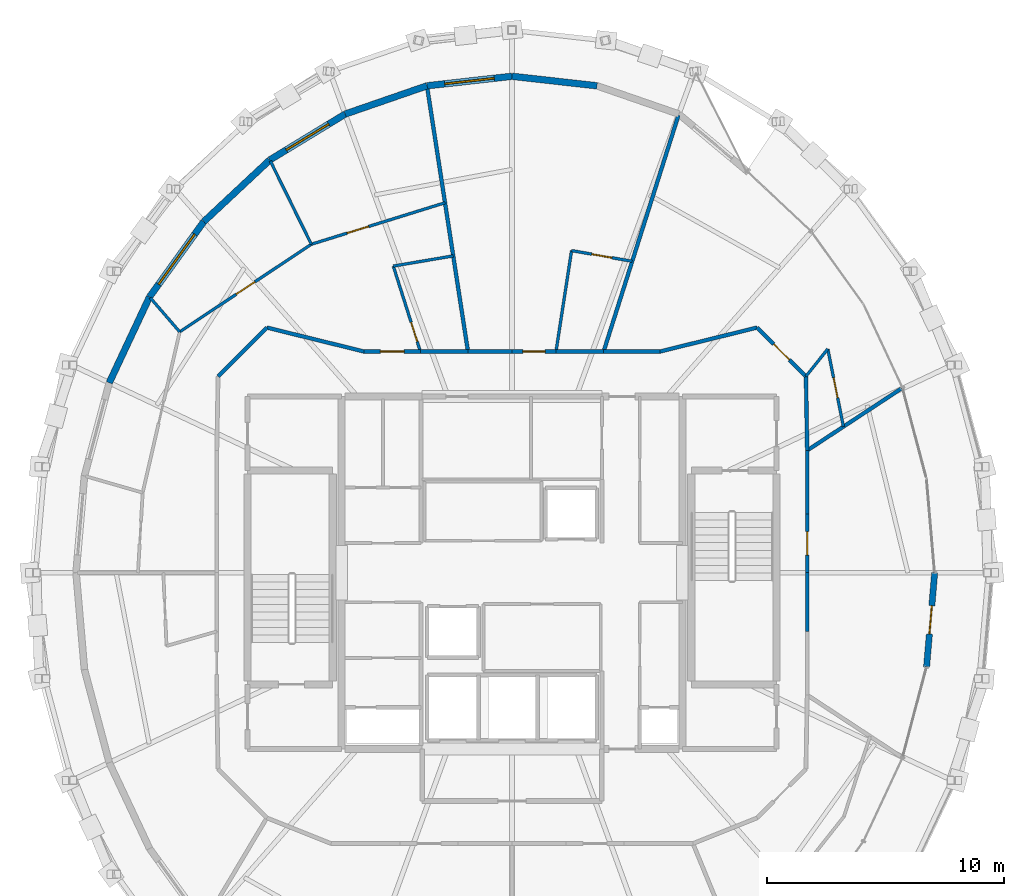
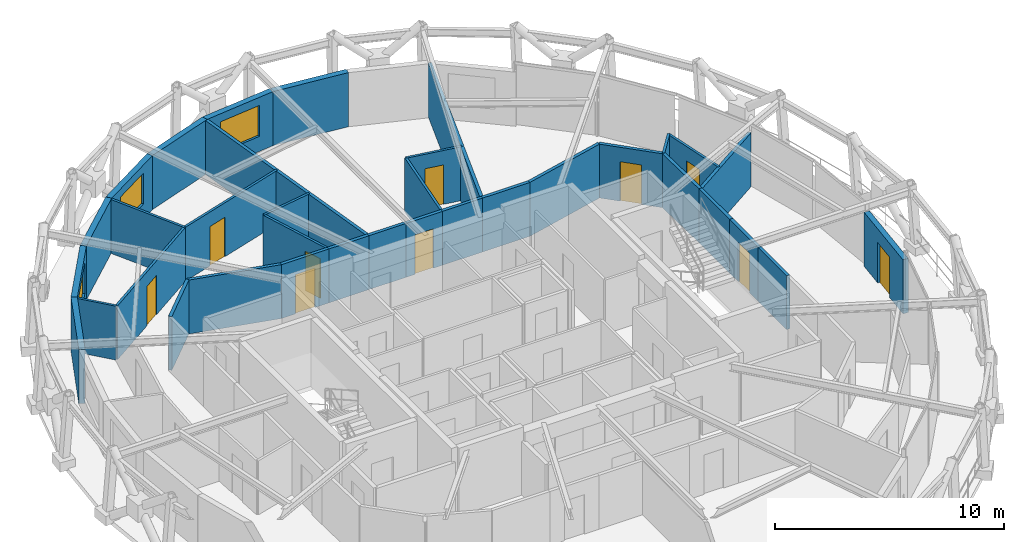
# One storey, part 14 of 16: 35 walls, 10 doors, 3 windows, 13 openings.
"""IFC4 building model written with IfcOpenShell, lengths in metres."""

from ifc_helpers import new_model, si_unit, direction, frame, frame_2d, origin, place, context, subcontext, project, spatial, rectangle, extrude, material, layer, layer_set, type_object, element, fill, save


model = new_model("IFC4")

# Units and contexts
model_context = context("Model", 3, precision=1e-05, world=origin(), true_north=direction((0.0, 1.0)))
body_context = subcontext(model_context, "Body", "Model", "MODEL_VIEW")
ifc_project = project(units=[si_unit("LENGTHUNIT", "METRE"), si_unit("AREAUNIT", "SQUARE_METRE"), si_unit("VOLUMEUNIT", "CUBIC_METRE"), si_unit("PLANEANGLEUNIT", "RADIAN"), si_unit("MASSUNIT", "GRAM", prefix="KILO")], contexts=[model_context])

# Site, building, storey
site_placement = place(None, origin())
site = spatial("IfcSite", under=ifc_project, at=site_placement, CompositionType="ELEMENT")
building_placement = place(site_placement, origin())
building = spatial("IfcBuilding", under=site, at=building_placement, Name="Veldorina Hangang Commons", CompositionType="ELEMENT")
storey_placement = place(building_placement, frame((0.0, 0.0, 283.199951171875)))
storey = spatial("IfcBuildingStorey", under=building, at=storey_placement, Name="L74", CompositionType="ELEMENT", Elevation=283.199951171875)

# Wall, opening, door
ifc_material_1 = material(Name="Stone Roman Travertine", Category="masonry")
ifc_layer_1 = layer(ifc_material_1, 0.260009765625)
ifc_layer_set_1 = layer_set([ifc_layer_1], Name="Stone Roman Travertine")
wall_type_1 = type_object("IfcWallType", Name="EW-LOGGIA-260", PredefinedType="STANDARD", material=ifc_layer_set_1)
wall_1_placement = place(storey_placement, frame((49.5263671875, 20.0146484375, 0.0), z_axis=(0.0, 0.0, 1.0), x_axis=(0.085813135063, 0.996311249485, 0.0)))
wall_1 = element("IfcWall", 1, at=wall_1_placement, inside=storey, type_object=wall_type_1, Name="L74 sky-garden loggia portal wall 31", PredefinedType="STANDARD", context=body_context, shape_type="SweptSolid", body=[
    extrude(rectangle(XDim=4.0, YDim=0.260009765625, at=frame_2d((2.0, 0.0))), origin(), (0.0, 0.0, 1.0), 2.880126953125),
])
opening_1_placement = place(wall_1_placement, frame((1.400146484375, 0.0, 0.0)))
opening_1 = element("IfcOpeningElement", 2, at=opening_1_placement, cuts=wall_1, Name="Opening BD-1200", PredefinedType="OPENING", context=body_context, shape_type="SweptSolid", body=[
    extrude(rectangle(XDim=1.199951171875, YDim=2.14990234375, at=frame_2d((0.60009765625, 1.074951171875))), frame((0.0, 0.14013671875, 0.0), z_axis=(0.0, -1.0, 0.0), x_axis=(1.0, 0.0, 0.0)), (0.0, 0.0, 1.0), 0.280029296875),
])
ifc_material_2 = material(Name="Glass Thermal Aluminium Frame", Category="aluminium")
door_type_1 = type_object("IfcDoorType", Name="DR-EXT-LOG1200", OperationType="SINGLE_SWING_LEFT", PredefinedType="DOOR", material=ifc_material_2)
door_1_placement = place(opening_1_placement, origin())
door_1 = element("IfcDoor", 3, at=door_1_placement, inside=storey, type_object=door_type_1, Name="L74 loggia glazed exterior door 31", OperationType="SINGLE_SWING_RIGHT", OverallHeight=2.14990234375, OverallWidth=1.199951171875, PredefinedType="DOOR", context=body_context, shape_type="SweptSolid", body=[
    extrude(rectangle(XDim=1.199951171875, YDim=2.14990234375, at=frame_2d((0.60009765625, 1.074951171875))), frame((0.0, 0.02490234375, 0.0), z_axis=(0.0, -1.0, 0.0), x_axis=(1.0, 0.0, 0.0)), (0.0, 0.0, 1.0), 0.050048828125),
])
fill(opening_1, door_1)

# Wall
ifc_layer_2 = layer(ifc_material_1, 0.280029296875)
ifc_layer_set_2 = layer_set([ifc_layer_2], Name="Stone Roman Travertine")
wall_type_2 = type_object("IfcWallType", Name="EW-TRAV-280", PredefinedType="STANDARD", material=ifc_layer_set_2)
wall_2_placement = place(storey_placement, frame((35.595458984375, 44.585205078125, 0.0), z_axis=(0.0, 0.0, 1.0), x_axis=(-0.993767154633, 0.111475747909, 0.0)))
element("IfcWall", 4, at=wall_2_placement, inside=storey, type_object=wall_type_2, Name="L74 travertine facade wall 07", PredefinedType="STANDARD", context=body_context, shape_type="SweptSolid", body=[
    extrude(rectangle(XDim=3.617919921875, YDim=0.280029296875, at=frame_2d((1.80908203125, 0.0))), origin(), (0.0, 0.0, 1.0), 2.880126953125),
])

# Wall, opening, window
wall_3_placement = place(storey_placement, frame((32.0, 44.988525390625, 0.0), z_axis=(0.0, 0.0, 1.0), x_axis=(-0.993767154633, -0.111475747909, 0.0)))
wall_3 = element("IfcWall", 5, at=wall_3_placement, inside=storey, type_object=wall_type_2, Name="L74 travertine facade wall 08", PredefinedType="STANDARD", context=body_context, shape_type="SweptSolid", body=[
    extrude(rectangle(XDim=3.617919921875, YDim=0.280029296875, at=frame_2d((1.80908203125, 0.0))), origin(), (0.0, 0.0, 1.0), 2.880126953125),
])
opening_2_placement = place(wall_3_placement, frame((0.759033203125, 0.0, 0.800048828125)))
opening_2 = element("IfcOpeningElement", 6, at=opening_2_placement, cuts=wall_3, Name="Opening W-03", PredefinedType="OPENING", context=body_context, shape_type="SweptSolid", body=[
    extrude(rectangle(XDim=2.10009765625, YDim=1.64990234375, at=frame_2d((1.050048828125, 0.824951171875))), frame((0.0, 0.14990234375, 0.0), z_axis=(0.0, -1.0, 0.0), x_axis=(1.0, 0.0, 0.0)), (0.0, 0.0, 1.0), 0.300048828125),
])
ifc_material_3 = material(Name="Glass Low-E Triple IGU", Category="glass")
window_type_1 = type_object("IfcWindowType", Name="WIN-TWR-2100", PartitioningType="SINGLE_PANEL", PredefinedType="WINDOW", material=ifc_material_3)
window_1_placement = place(opening_2_placement, origin())
window_1 = element("IfcWindow", 7, at=window_1_placement, inside=storey, type_object=window_type_1, Name="L74 facade window 08", OverallHeight=1.64990234375, OverallWidth=2.10009765625, PartitioningType="SINGLE_PANEL", PredefinedType="WINDOW", context=body_context, shape_type="SweptSolid", body=[
    extrude(rectangle(XDim=2.10009765625, YDim=1.64990234375, at=frame_2d((1.050048828125, 0.824951171875))), frame((0.0, 0.030029296875, 0.0), z_axis=(0.0, -1.0, 0.0), x_axis=(1.0, 0.0, 0.0)), (0.0, 0.0, 1.0), 0.06005859375),
])
fill(opening_2, window_1)

# Wall
wall_4_placement = place(storey_placement, frame((28.404541015625, 44.585205078125, 0.0), z_axis=(0.0, 0.0, 1.0), x_axis=(-0.945189830933, -0.326521336976, 0.0)))
element("IfcWall", 8, at=wall_4_placement, inside=storey, type_object=wall_type_2, Name="L74 travertine facade wall 09", PredefinedType="STANDARD", context=body_context, shape_type="SweptSolid", body=[
    extrude(rectangle(XDim=3.65771484375, YDim=0.280029296875, at=frame_2d((1.828857421875, 0.0))), origin(), (0.0, 0.0, 1.0), 2.880126953125),
])

# Wall, opening, window
wall_5_placement = place(storey_placement, frame((24.947265625, 43.390869140625, 0.0), z_axis=(0.0, 0.0, 1.0), x_axis=(-0.854201083367, -0.519942794136, 0.0)))
wall_5 = element("IfcWall", 9, at=wall_5_placement, inside=storey, type_object=wall_type_2, Name="L74 travertine facade wall 10", PredefinedType="STANDARD", context=body_context, shape_type="SweptSolid", body=[
    extrude(rectangle(XDim=3.730224609375, YDim=0.280029296875, at=frame_2d((1.865234375, 0.0))), origin(), (0.0, 0.0, 1.0), 2.880126953125),
])
opening_3_placement = place(wall_5_placement, frame((0.815185546875, 0.0, 0.800048828125)))
opening_3 = element("IfcOpeningElement", 10, at=opening_3_placement, cuts=wall_5, Name="Opening W-03", PredefinedType="OPENING", context=body_context, shape_type="SweptSolid", body=[
    extrude(rectangle(XDim=2.10009765625, YDim=1.64990234375, at=frame_2d((1.050048828125, 0.824951171875))), frame((0.0, 0.14990234375, 0.0), z_axis=(0.0, -1.0, 0.0), x_axis=(1.0, 0.0, 0.0)), (0.0, 0.0, 1.0), 0.300048828125),
])
window_2_placement = place(opening_3_placement, origin())
window_2 = element("IfcWindow", 11, at=window_2_placement, inside=storey, type_object=window_type_1, Name="L74 facade window 10", OverallHeight=1.64990234375, OverallWidth=2.10009765625, PartitioningType="SINGLE_PANEL", PredefinedType="WINDOW", context=body_context, shape_type="SweptSolid", body=[
    extrude(rectangle(XDim=2.10009765625, YDim=1.64990234375, at=frame_2d((1.050048828125, 0.824951171875))), frame((0.0, 0.030029296875, 0.0), z_axis=(0.0, -1.0, 0.0), x_axis=(1.0, 0.0, 0.0)), (0.0, 0.0, 1.0), 0.06005859375),
])
fill(opening_3, window_2)

# Wall
wall_6_placement = place(storey_placement, frame((21.760986328125, 41.451416015625, 0.0), z_axis=(0.0, 0.0, 1.0), x_axis=(-0.730558106244, -0.682850535184, 0.0)))
element("IfcWall", 12, at=wall_6_placement, inside=storey, type_object=wall_type_2, Name="L74 travertine facade wall 11", PredefinedType="STANDARD", context=body_context, shape_type="SweptSolid", body=[
    extrude(rectangle(XDim=3.82275390625, YDim=0.280029296875, at=frame_2d((1.911376953125, 0.0))), origin(), (0.0, 0.0, 1.0), 2.880126953125),
])

# Wall, opening, window
wall_7_placement = place(storey_placement, frame((18.96826171875, 38.841064453125, 0.0), z_axis=(0.0, 0.0, 1.0), x_axis=(-0.584655758142, -0.811281482884, 0.0)))
wall_7 = element("IfcWall", 13, at=wall_7_placement, inside=storey, type_object=wall_type_2, Name="L74 travertine facade wall 12", PredefinedType="STANDARD", context=body_context, shape_type="SweptSolid", body=[
    extrude(rectangle(XDim=3.920166015625, YDim=0.280029296875, at=frame_2d((1.9599609375, 0.0))), origin(), (0.0, 0.0, 1.0), 2.880126953125),
])
opening_4_placement = place(wall_7_placement, frame((0.66015625, 0.0, 0.800048828125)))
opening_4 = element("IfcOpeningElement", 14, at=opening_4_placement, cuts=wall_7, Name="Opening W-02", PredefinedType="OPENING", context=body_context, shape_type="SweptSolid", body=[
    extrude(rectangle(XDim=2.60009765625, YDim=1.64990234375, at=frame_2d((1.300048828125, 0.824951171875))), frame((0.0, 0.14990234375, 0.0), z_axis=(0.0, -1.0, 0.0), x_axis=(1.0, 0.0, 0.0)), (0.0, 0.0, 1.0), 0.300048828125),
])
window_type_2 = type_object("IfcWindowType", Name="WIN-TWR-2600", PartitioningType="SINGLE_PANEL", PredefinedType="WINDOW", material=ifc_material_3)
window_3_placement = place(opening_4_placement, origin())
window_3 = element("IfcWindow", 15, at=window_3_placement, inside=storey, type_object=window_type_2, Name="L74 facade window 12", OverallHeight=1.64990234375, OverallWidth=2.60009765625, PartitioningType="SINGLE_PANEL", PredefinedType="WINDOW", context=body_context, shape_type="SweptSolid", body=[
    extrude(rectangle(XDim=2.60009765625, YDim=1.64990234375, at=frame_2d((1.300048828125, 0.824951171875))), frame((0.0, 0.030029296875, 0.0), z_axis=(0.0, -1.0, 0.0), x_axis=(1.0, 0.0, 0.0)), (0.0, 0.0, 1.0), 0.06005859375),
])
fill(opening_4, window_3)

# Wall
wall_8_placement = place(storey_placement, frame((16.67626953125, 35.66064453125, 0.0), z_axis=(0.0, 0.0, 1.0), x_axis=(-0.424881672648, -0.905248896297, 0.0)))
element("IfcWall", 16, at=wall_8_placement, inside=storey, type_object=wall_type_2, Name="L74 travertine facade wall 13", PredefinedType="STANDARD", context=body_context, shape_type="SweptSolid", body=[
    extrude(rectangle(XDim=4.008544921875, YDim=0.280029296875, at=frame_2d((2.00439453125, 0.0))), origin(), (0.0, 0.0, 1.0), 2.880126953125),
])

# Wall, opening, door
ifc_material_4 = material(Name="Gypsum Fire-Rated Twin Stud Wall", Category="gypsum")
ifc_layer_3 = layer(ifc_material_4, 0.159912109375)
ifc_layer_set_3 = layer_set([ifc_layer_3], Name="Gypsum Fire-Rated Twin Stud Wall")
wall_type_3 = type_object("IfcWallType", Name="WL-FIRE-160", PredefinedType="SOLIDWALL", material=ifc_layer_set_3)
wall_9_placement = place(storey_placement, frame((44.47998046875, 24.0, 0.0), z_axis=(0.0, 0.0, 1.0), x_axis=(0.0, 1.0, 0.0)))
wall_9 = element("IfcWall", 17, at=wall_9_placement, inside=storey, type_object=wall_type_3, Name="L74 Compact collar outer wall 00 054", PredefinedType="SOLIDWALL", context=body_context, shape_type="SweptSolid", body=[
    extrude(rectangle(XDim=2.482421875, YDim=0.159912109375, at=frame_2d((1.2412109375, 0.0))), origin(), (0.0, 0.0, 1.0), 2.8701171875),
])
opening_5_placement = place(wall_9_placement, frame((0.7412109375, 0.0, 0.0)))
opening_5 = element("IfcOpeningElement", 18, at=opening_5_placement, cuts=wall_9, Name="Opening D-05", PredefinedType="OPENING", context=body_context, shape_type="SweptSolid", body=[
    extrude(rectangle(XDim=1.0, YDim=2.10009765625, at=frame_2d((0.5, 1.050048828125))), frame((0.0, 0.08984375, 0.0), z_axis=(0.0, -1.0, 0.0), x_axis=(1.0, 0.0, 0.0)), (0.0, 0.0, 1.0), 0.179931640625),
])
ifc_material_5 = material(Name="Timber Solid Core Acoustic", Category="wood")
door_type_2 = type_object("IfcDoorType", Name="DR-INT-1000", OperationType="SINGLE_SWING_RIGHT", PredefinedType="DOOR", material=ifc_material_5)
door_2_placement = place(opening_5_placement, origin())
door_2 = element("IfcDoor", 19, at=door_2_placement, inside=storey, type_object=door_type_2, Name="L74 Sky-Garden Commons Lounge door 024", OperationType="SINGLE_SWING_RIGHT", OverallHeight=2.10009765625, OverallWidth=1.0, PredefinedType="DOOR", context=body_context, shape_type="SweptSolid", body=[
    extrude(rectangle(XDim=1.0, YDim=2.10009765625, at=frame_2d((0.5, 1.050048828125))), frame((0.0, 0.02490234375, 0.0), z_axis=(0.0, -1.0, 0.0), x_axis=(1.0, 0.0, 0.0)), (0.0, 0.0, 1.0), 0.050048828125),
])
fill(opening_5, door_2)

# Walls
wall_10_placement = place(storey_placement, frame((44.47998046875, 26.482421875, 0.0), z_axis=(0.0, 0.0, 1.0), x_axis=(0.0, 1.0, 0.0)))
element("IfcWall", 20, at=wall_10_placement, inside=storey, type_object=wall_type_3, Name="L74 Compact collar outer wall 01 055", PredefinedType="SOLIDWALL", context=body_context, shape_type="SweptSolid", body=[
    extrude(rectangle(XDim=2.68701171875, YDim=0.159912109375, at=frame_2d((1.343505859375, 0.0))), origin(), (0.0, 0.0, 1.0), 2.8701171875),
])
wall_11_placement = place(storey_placement, frame((44.47998046875, 29.16943359375, 0.0), z_axis=(0.0, 0.0, 1.0), x_axis=(-0.016981035134, 0.999855811828, 0.0)))
element("IfcWall", 21, at=wall_11_placement, inside=storey, type_object=wall_type_3, Name="L74 Compact collar outer wall 02 056", PredefinedType="SOLIDWALL", context=body_context, shape_type="SweptSolid", body=[
    extrude(rectangle(XDim=3.13427734375, YDim=0.159912109375, at=frame_2d((1.567138671875, 0.0))), origin(), (0.0, 0.0, 1.0), 2.8701171875),
])

# Wall, opening, door
wall_12_placement = place(storey_placement, frame((44.4267578125, 32.30322265625, 0.0), z_axis=(0.0, 0.0, 1.0), x_axis=(-0.707106781187, 0.707106781187, 0.0)))
wall_12 = element("IfcWall", 22, at=wall_12_placement, inside=storey, type_object=wall_type_3, Name="L74 Compact collar outer wall 03 057", PredefinedType="SOLIDWALL", context=body_context, shape_type="SweptSolid", body=[
    extrude(rectangle(XDim=2.915771484375, YDim=0.159912109375, at=frame_2d((1.4580078125, 0.0))), origin(), (0.0, 0.0, 1.0), 2.8701171875),
])
opening_6_placement = place(wall_12_placement, frame((0.98291015625, 0.0, 0.0)))
opening_6 = element("IfcOpeningElement", 23, at=opening_6_placement, cuts=wall_12, Name="Opening D-03", PredefinedType="OPENING", context=body_context, shape_type="SweptSolid", body=[
    extrude(rectangle(XDim=0.949951171875, YDim=2.10009765625, at=frame_2d((0.47509765625, 1.050048828125))), frame((0.0, 0.08984375, 0.0), z_axis=(0.0, -1.0, 0.0), x_axis=(1.0, 0.0, 0.0)), (0.0, 0.0, 1.0), 0.179931640625),
])
ifc_material_6 = material(Name="Timber Fire-Rated Entrance Core", Category="wood")
door_type_3 = type_object("IfcDoorType", Name="DR-UNIT-950", OperationType="SINGLE_SWING_RIGHT", PredefinedType="DOOR", material=ifc_material_6)
door_3_placement = place(opening_6_placement, origin())
door_3 = element("IfcDoor", 24, at=door_3_placement, inside=storey, type_object=door_type_3, Name="L74 Studio 2 entrance door 026", OperationType="SINGLE_SWING_RIGHT", OverallHeight=2.10009765625, OverallWidth=0.949951171875, PredefinedType="DOOR", context=body_context, shape_type="SweptSolid", body=[
    extrude(rectangle(XDim=0.949951171875, YDim=2.10009765625, at=frame_2d((0.47509765625, 1.050048828125))), frame((0.0, 0.02490234375, 0.0), z_axis=(0.0, -1.0, 0.0), x_axis=(1.0, 0.0, 0.0)), (0.0, 0.0, 1.0), 0.050048828125),
])
fill(opening_6, door_3)

# Walls
wall_13_placement = place(storey_placement, frame((42.364990234375, 34.364990234375, 0.0), z_axis=(0.0, 0.0, 1.0), x_axis=(-0.970939799552, -0.239323850978, 0.0)))
element("IfcWall", 25, at=wall_13_placement, inside=storey, type_object=wall_type_3, Name="L74 Compact collar outer wall 04 058", PredefinedType="SOLIDWALL", context=body_context, shape_type="SweptSolid", body=[
    extrude(rectangle(XDim=4.24072265625, YDim=0.159912109375, at=frame_2d((2.120361328125, 0.0))), origin(), (0.0, 0.0, 1.0), 2.8701171875),
])
wall_14_placement = place(storey_placement, frame((38.24755859375, 33.35009765625, 0.0), z_axis=(0.0, 0.0, 1.0), x_axis=(-1.0, 0.0, 0.0)))
element("IfcWall", 26, at=wall_14_placement, inside=storey, type_object=wall_type_3, Name="L74 Compact collar outer wall 05 059", PredefinedType="SOLIDWALL", context=body_context, shape_type="SweptSolid", body=[
    extrude(rectangle(XDim=2.374755859375, YDim=0.159912109375, at=frame_2d((1.1875, 0.0))), origin(), (0.0, 0.0, 1.0), 2.8701171875),
])
wall_15_placement = place(storey_placement, frame((35.872802734375, 33.35009765625, 0.0), z_axis=(0.0, 0.0, 1.0), x_axis=(-1.0, 0.0, 0.0)))
element("IfcWall", 27, at=wall_15_placement, inside=storey, type_object=wall_type_3, Name="L74 Compact collar outer wall 06 060", PredefinedType="SOLIDWALL", context=body_context, shape_type="SweptSolid", body=[
    extrude(rectangle(XDim=2.012939453125, YDim=0.159912109375, at=frame_2d((1.00634765625, 0.0))), origin(), (0.0, 0.0, 1.0), 2.8701171875),
])

# Wall, opening, door
wall_16_placement = place(storey_placement, frame((33.85986328125, 33.35009765625, 0.0), z_axis=(0.0, 0.0, 1.0), x_axis=(-1.0, 0.0, 0.0)))
wall_16 = element("IfcWall", 28, at=wall_16_placement, inside=storey, type_object=wall_type_3, Name="L74 Compact collar outer wall 07 061", PredefinedType="SOLIDWALL", context=body_context, shape_type="SweptSolid", body=[
    extrude(rectangle(XDim=1.85986328125, YDim=0.159912109375, at=frame_2d((0.929931640625, 0.0))), origin(), (0.0, 0.0, 1.0), 2.8701171875),
])
opening_7_placement = place(wall_16_placement, frame((0.454833984375, 0.0, 0.0)))
opening_7 = element("IfcOpeningElement", 29, at=opening_7_placement, cuts=wall_16, Name="Opening D-03", PredefinedType="OPENING", context=body_context, shape_type="SweptSolid", body=[
    extrude(rectangle(XDim=0.949951171875, YDim=2.10009765625, at=frame_2d((0.47509765625, 1.050048828125))), frame((0.0, 0.08984375, 0.0), z_axis=(0.0, -1.0, 0.0), x_axis=(1.0, 0.0, 0.0)), (0.0, 0.0, 1.0), 0.179931640625),
])
door_4_placement = place(opening_7_placement, origin())
door_4 = element("IfcDoor", 30, at=door_4_placement, inside=storey, type_object=door_type_3, Name="L74 Studio 3 entrance door 028", OperationType="SINGLE_SWING_RIGHT", OverallHeight=2.10009765625, OverallWidth=0.949951171875, PredefinedType="DOOR", context=body_context, shape_type="SweptSolid", body=[
    extrude(rectangle(XDim=0.949951171875, YDim=2.10009765625, at=frame_2d((0.47509765625, 1.050048828125))), frame((0.0, 0.02490234375, 0.0), z_axis=(0.0, -1.0, 0.0), x_axis=(1.0, 0.0, 0.0)), (0.0, 0.0, 1.0), 0.050048828125),
])
fill(opening_7, door_4)

# Walls
wall_17_placement = place(storey_placement, frame((32.0, 33.35009765625, 0.0), z_axis=(0.0, 0.0, 1.0), x_axis=(-1.0, 0.0, 0.0)))
element("IfcWall", 31, at=wall_17_placement, inside=storey, type_object=wall_type_3, Name="L74 Compact collar outer wall 08 062", PredefinedType="SOLIDWALL", context=body_context, shape_type="SweptSolid", body=[
    extrude(rectangle(XDim=1.85986328125, YDim=0.159912109375, at=frame_2d((0.929931640625, 0.0))), origin(), (0.0, 0.0, 1.0), 2.8701171875),
])
wall_18_placement = place(storey_placement, frame((30.14013671875, 33.35009765625, 0.0), z_axis=(0.0, 0.0, 1.0), x_axis=(-1.0, 0.0, 0.0)))
element("IfcWall", 32, at=wall_18_placement, inside=storey, type_object=wall_type_3, Name="L74 Compact collar outer wall 09 063", PredefinedType="SOLIDWALL", context=body_context, shape_type="SweptSolid", body=[
    extrude(rectangle(XDim=2.012939453125, YDim=0.159912109375, at=frame_2d((1.00634765625, 0.0))), origin(), (0.0, 0.0, 1.0), 2.8701171875),
])

# Wall, opening, door
wall_19_placement = place(storey_placement, frame((28.127197265625, 33.35009765625, 0.0), z_axis=(0.0, 0.0, 1.0), x_axis=(-1.0, 0.0, 0.0)))
wall_19 = element("IfcWall", 33, at=wall_19_placement, inside=storey, type_object=wall_type_3, Name="L74 Compact collar outer wall 10 064", PredefinedType="SOLIDWALL", context=body_context, shape_type="SweptSolid", body=[
    extrude(rectangle(XDim=2.374755859375, YDim=0.159912109375, at=frame_2d((1.1875, 0.0))), origin(), (0.0, 0.0, 1.0), 2.8701171875),
])
opening_8_placement = place(wall_19_placement, frame((0.687255859375, 0.0, 0.0)))
opening_8 = element("IfcOpeningElement", 34, at=opening_8_placement, cuts=wall_19, Name="Opening D-06", PredefinedType="OPENING", context=body_context, shape_type="SweptSolid", body=[
    extrude(rectangle(XDim=1.0, YDim=2.10009765625, at=frame_2d((0.5, 1.050048828125))), frame((0.0, 0.08984375, 0.0), z_axis=(0.0, -1.0, 0.0), x_axis=(1.0, 0.0, 0.0)), (0.0, 0.0, 1.0), 0.179931640625),
])
door_type_4 = type_object("IfcDoorType", Name="DR-UNIT-1000", OperationType="SINGLE_SWING_LEFT", PredefinedType="DOOR", material=ifc_material_6)
door_5_placement = place(opening_8_placement, origin())
door_5 = element("IfcDoor", 35, at=door_5_placement, inside=storey, type_object=door_type_4, Name="L74 Cluster 4 entrance door 030", OperationType="SINGLE_SWING_RIGHT", OverallHeight=2.10009765625, OverallWidth=1.0, PredefinedType="DOOR", context=body_context, shape_type="SweptSolid", body=[
    extrude(rectangle(XDim=1.0, YDim=2.10009765625, at=frame_2d((0.5, 1.050048828125))), frame((0.0, 0.02490234375, 0.0), z_axis=(0.0, -1.0, 0.0), x_axis=(1.0, 0.0, 0.0)), (0.0, 0.0, 1.0), 0.050048828125),
])
fill(opening_8, door_5)

# Walls
wall_20_placement = place(storey_placement, frame((25.75244140625, 33.35009765625, 0.0), z_axis=(0.0, 0.0, 1.0), x_axis=(-0.970939799552, 0.239323850978, 0.0)))
element("IfcWall", 36, at=wall_20_placement, inside=storey, type_object=wall_type_3, Name="L74 Compact collar outer wall 11 065", PredefinedType="SOLIDWALL", context=body_context, shape_type="SweptSolid", body=[
    extrude(rectangle(XDim=4.24072265625, YDim=0.159912109375, at=frame_2d((2.120361328125, 0.0))), origin(), (0.0, 0.0, 1.0), 2.8701171875),
])
wall_21_placement = place(storey_placement, frame((21.635009765625, 34.364990234375, 0.0), z_axis=(0.0, 0.0, 1.0), x_axis=(-0.707106781187, -0.707106781187, 0.0)))
element("IfcWall", 37, at=wall_21_placement, inside=storey, type_object=wall_type_3, Name="L74 Compact collar outer wall 12 066", PredefinedType="SOLIDWALL", context=body_context, shape_type="SweptSolid", body=[
    extrude(rectangle(XDim=2.915771484375, YDim=0.159912109375, at=frame_2d((1.4580078125, 0.0))), origin(), (0.0, 0.0, 1.0), 2.8701171875),
])
wall_22_placement = place(storey_placement, frame((44.47998046875, 21.517578125, 0.0), z_axis=(0.0, 0.0, 1.0), x_axis=(0.0, 1.0, 0.0)))
element("IfcWall", 38, at=wall_22_placement, inside=storey, type_object=wall_type_3, Name="L74 Compact collar outer wall 31 085", PredefinedType="SOLIDWALL", context=body_context, shape_type="SweptSolid", body=[
    extrude(rectangle(XDim=2.482421875, YDim=0.159912109375, at=frame_2d((1.2412109375, 0.0))), origin(), (0.0, 0.0, 1.0), 2.8701171875),
])
wall_23_placement = place(storey_placement, frame((44.47998046875, 29.16943359375, 0.0), z_axis=(0.0, 0.0, 1.0), x_axis=(0.835700112482, 0.549186054082, 0.0)))
element("IfcWall", 39, at=wall_23_placement, inside=storey, type_object=wall_type_3, Name="L74 Unit party wall 02 087", PredefinedType="SOLIDWALL", context=body_context, shape_type="SweptSolid", body=[
    extrude(rectangle(XDim=4.771728515625, YDim=0.159912109375, at=frame_2d((2.3857421875, 0.0))), origin(), (0.0, 0.0, 1.0), 2.8701171875),
])
wall_24_placement = place(storey_placement, frame((35.872802734375, 33.35009765625, 0.0), z_axis=(0.0, 0.0, 1.0), x_axis=(0.301923810038, 0.953332058064, 0.0)))
element("IfcWall", 40, at=wall_24_placement, inside=storey, type_object=wall_type_3, Name="L74 Unit party wall 06 090", PredefinedType="SOLIDWALL", context=body_context, shape_type="SweptSolid", body=[
    extrude(rectangle(XDim=10.482177734375, YDim=0.159912109375, at=frame_2d((5.2412109375, 0.0))), origin(), (0.0, 0.0, 1.0), 2.8701171875),
])
wall_25_placement = place(storey_placement, frame((30.14013671875, 33.35009765625, 0.0), z_axis=(0.0, 0.0, 1.0), x_axis=(-0.152673086736, 0.988276746962, 0.0)))
element("IfcWall", 41, at=wall_25_placement, inside=storey, type_object=wall_type_3, Name="L74 Unit party wall 09 093", PredefinedType="SOLIDWALL", context=body_context, shape_type="SweptSolid", body=[
    extrude(rectangle(XDim=11.318359375, YDim=0.159912109375, at=frame_2d((5.6591796875, 0.0))), origin(), (0.0, 0.0, 1.0), 2.8701171875),
])

# Wall, opening, door
ifc_material_7 = material(Name="Gypsum Acoustic Stud Partition", Category="gypsum")
ifc_layer_4 = layer(ifc_material_7, 0.1201171875)
ifc_layer_set_4 = layer_set([ifc_layer_4], Name="Gypsum Acoustic Stud Partition")
wall_type_4 = type_object("IfcWallType", Name="WL-PART-120", PredefinedType="PARTITIONING", material=ifc_layer_set_4)
wall_26_placement = place(storey_placement, frame((46.01123046875, 30.17578125, 0.0), z_axis=(0.0, 0.0, 1.0), x_axis=(-0.197152846151, 0.980372763419, 0.0)))
wall_26 = element("IfcWall", 42, at=wall_26_placement, inside=storey, type_object=wall_type_4, Name="L74 Studio 2 bath front wall 088", PredefinedType="PARTITIONING", context=body_context, shape_type="SweptSolid", body=[
    extrude(rectangle(XDim=3.350830078125, YDim=0.1201171875, at=frame_2d((1.67529296875, 0.0))), origin(), (0.0, 0.0, 1.0), 2.8701171875),
])
opening_9_placement = place(wall_26_placement, frame((1.24560546875, 0.0, 0.0)))
opening_9 = element("IfcOpeningElement", 43, at=opening_9_placement, cuts=wall_26, Name="Opening D-01", PredefinedType="OPENING", context=body_context, shape_type="SweptSolid", body=[
    extrude(rectangle(XDim=0.860107421875, YDim=2.10009765625, at=frame_2d((0.43017578125, 1.050048828125))), frame((0.0, 0.070068359375, 0.0), z_axis=(0.0, -1.0, 0.0), x_axis=(1.0, 0.0, 0.0)), (0.0, 0.0, 1.0), 0.14013671875),
])
ifc_material_8 = material(Name="Timber Moisture-Resistant Core", Category="wood")
door_type_5 = type_object("IfcDoorType", Name="DR-WET-860", OperationType="SINGLE_SWING_LEFT", PredefinedType="DOOR", material=ifc_material_8)
door_6_placement = place(opening_9_placement, origin())
door_6 = element("IfcDoor", 44, at=door_6_placement, inside=storey, type_object=door_type_5, Name="L74 Studio 2 bathroom door 025", OperationType="SINGLE_SWING_LEFT", OverallHeight=2.10009765625, OverallWidth=0.860107421875, PredefinedType="DOOR", context=body_context, shape_type="SweptSolid", body=[
    extrude(rectangle(XDim=0.860107421875, YDim=2.10009765625, at=frame_2d((0.43017578125, 1.050048828125))), frame((0.0, 0.02490234375, 0.0), z_axis=(0.0, -1.0, 0.0), x_axis=(1.0, 0.0, 0.0)), (0.0, 0.0, 1.0), 0.050048828125),
])
fill(opening_9, door_6)

# Wall
wall_27_placement = place(storey_placement, frame((44.4267578125, 32.30322265625, 0.0), z_axis=(0.0, 0.0, 1.0), x_axis=(0.623729692051, 0.781640116201, 0.0)))
element("IfcWall", 45, at=wall_27_placement, inside=storey, type_object=wall_type_4, Name="L74 Studio 2 bath side wall 089", PredefinedType="PARTITIONING", context=body_context, shape_type="SweptSolid", body=[
    extrude(rectangle(XDim=1.481201171875, YDim=0.1201171875, at=frame_2d((0.74072265625, 0.0))), origin(), (0.0, 0.0, 1.0), 2.8701171875),
])

# Wall, opening, door
wall_28_placement = place(storey_placement, frame((37.081298828125, 37.16552734375, 0.0), z_axis=(0.0, 0.0, 1.0), x_axis=(-0.984669047574, 0.174432986415, 0.0)))
wall_28 = element("IfcWall", 46, at=wall_28_placement, inside=storey, type_object=wall_type_4, Name="L74 Studio 3 bath front wall 091", PredefinedType="PARTITIONING", context=body_context, shape_type="SweptSolid", body=[
    extrude(rectangle(XDim=2.601806640625, YDim=0.1201171875, at=frame_2d((1.30078125, 0.0))), origin(), (0.0, 0.0, 1.0), 2.8701171875),
])
opening_10_placement = place(wall_28_placement, frame((0.870849609375, 0.0, 0.0)))
opening_10 = element("IfcOpeningElement", 47, at=opening_10_placement, cuts=wall_28, Name="Opening D-01", PredefinedType="OPENING", context=body_context, shape_type="SweptSolid", body=[
    extrude(rectangle(XDim=0.860107421875, YDim=2.10009765625, at=frame_2d((0.43017578125, 1.050048828125))), frame((0.0, 0.070068359375, 0.0), z_axis=(0.0, -1.0, 0.0), x_axis=(1.0, 0.0, 0.0)), (0.0, 0.0, 1.0), 0.14013671875),
])
door_7_placement = place(opening_10_placement, origin())
door_7 = element("IfcDoor", 48, at=door_7_placement, inside=storey, type_object=door_type_5, Name="L74 Studio 3 bathroom door 027", OperationType="SINGLE_SWING_LEFT", OverallHeight=2.10009765625, OverallWidth=0.860107421875, PredefinedType="DOOR", context=body_context, shape_type="SweptSolid", body=[
    extrude(rectangle(XDim=0.860107421875, YDim=2.10009765625, at=frame_2d((0.43017578125, 1.050048828125))), frame((0.0, 0.02490234375, 0.0), z_axis=(0.0, -1.0, 0.0), x_axis=(1.0, 0.0, 0.0)), (0.0, 0.0, 1.0), 0.050048828125),
])
fill(opening_10, door_7)

# Walls
wall_29_placement = place(storey_placement, frame((33.85986328125, 33.35009765625, 0.0), z_axis=(0.0, 0.0, 1.0), x_axis=(0.152647462941, 0.988280705092, 0.0)))
element("IfcWall", 49, at=wall_29_placement, inside=storey, type_object=wall_type_4, Name="L74 Studio 3 bath side wall 092", PredefinedType="PARTITIONING", context=body_context, shape_type="SweptSolid", body=[
    extrude(rectangle(XDim=4.31982421875, YDim=0.1201171875, at=frame_2d((2.159912109375, 0.0))), origin(), (0.0, 0.0, 1.0), 2.8701171875),
])
wall_30_placement = place(storey_placement, frame((29.515380859375, 37.394775390625, 0.0), z_axis=(0.0, 0.0, 1.0), x_axis=(-0.985883309276, -0.167433869007, 0.0)))
element("IfcWall", 50, at=wall_30_placement, inside=storey, type_object=wall_type_4, Name="L74 Cluster 4 bath front wall 094", PredefinedType="PARTITIONING", context=body_context, shape_type="SweptSolid", body=[
    extrude(rectangle(XDim=2.5693359375, YDim=0.1201171875, at=frame_2d((1.28466796875, 0.0))), origin(), (0.0, 0.0, 1.0), 2.8701171875),
])

# Wall, opening, door
wall_31_placement = place(storey_placement, frame((28.127197265625, 33.35009765625, 0.0), z_axis=(0.0, 0.0, 1.0), x_axis=(-0.301935597146, 0.953328324963, 0.0)))
wall_31 = element("IfcWall", 51, at=wall_31_placement, inside=storey, type_object=wall_type_4, Name="L74 Cluster 4 bath side wall 095", PredefinedType="PARTITIONING", context=body_context, shape_type="SweptSolid", body=[
    extrude(rectangle(XDim=3.79150390625, YDim=0.1201171875, at=frame_2d((1.895751953125, 0.0))), origin(), (0.0, 0.0, 1.0), 2.8701171875),
])
opening_11_placement = place(wall_31_placement, frame((0.43994140625, 0.0, 0.0)))
opening_11 = element("IfcOpeningElement", 52, at=opening_11_placement, cuts=wall_31, Name="Opening D-01", PredefinedType="OPENING", context=body_context, shape_type="SweptSolid", body=[
    extrude(rectangle(XDim=0.860107421875, YDim=2.10009765625, at=frame_2d((0.43017578125, 1.050048828125))), frame((0.0, 0.070068359375, 0.0), z_axis=(0.0, -1.0, 0.0), x_axis=(1.0, 0.0, 0.0)), (0.0, 0.0, 1.0), 0.14013671875),
])
door_8_placement = place(opening_11_placement, origin())
door_8 = element("IfcDoor", 53, at=door_8_placement, inside=storey, type_object=door_type_5, Name="L74 Cluster 4 shared bathroom door 029", OperationType="SINGLE_SWING_LEFT", OverallHeight=2.10009765625, OverallWidth=0.860107421875, PredefinedType="DOOR", context=body_context, shape_type="SweptSolid", body=[
    extrude(rectangle(XDim=0.860107421875, YDim=2.10009765625, at=frame_2d((0.43017578125, 1.050048828125))), frame((0.0, 0.02490234375, 0.0), z_axis=(0.0, -1.0, 0.0), x_axis=(1.0, 0.0, 0.0)), (0.0, 0.0, 1.0), 0.050048828125),
])
fill(opening_11, door_8)

wall_32_placement = place(storey_placement, frame((29.168212890625, 39.6416015625, 0.0), z_axis=(0.0, 0.0, 1.0), x_axis=(-0.95500853958, -0.29657830219, 0.0)))
wall_32 = element("IfcWall", 54, at=wall_32_placement, inside=storey, type_object=wall_type_4, Name="L74 Cluster 4 bed 1 front wall 096", PredefinedType="PARTITIONING", context=body_context, shape_type="SweptSolid", body=[
    extrude(rectangle(XDim=5.9169921875, YDim=0.1201171875, at=frame_2d((2.95849609375, 0.0))), origin(), (0.0, 0.0, 1.0), 2.8701171875),
])
opening_12_placement = place(wall_32_placement, frame((3.3828125, 0.0, 0.0)))
opening_12 = element("IfcOpeningElement", 55, at=opening_12_placement, cuts=wall_32, Name="Opening D-02", PredefinedType="OPENING", context=body_context, shape_type="SweptSolid", body=[
    extrude(rectangle(XDim=0.949951171875, YDim=2.10009765625, at=frame_2d((0.47509765625, 1.050048828125))), frame((0.0, 0.070068359375, 0.0), z_axis=(0.0, -1.0, 0.0), x_axis=(1.0, 0.0, 0.0)), (0.0, 0.0, 1.0), 0.14013671875),
])
door_type_6 = type_object("IfcDoorType", Name="DR-INT-950", OperationType="SINGLE_SWING_LEFT", PredefinedType="DOOR", material=ifc_material_5)
door_9_placement = place(opening_12_placement, origin())
door_9 = element("IfcDoor", 56, at=door_9_placement, inside=storey, type_object=door_type_6, Name="L74 Cluster 4 bed 1 door 031", OperationType="SINGLE_SWING_LEFT", OverallHeight=2.10009765625, OverallWidth=0.949951171875, PredefinedType="DOOR", context=body_context, shape_type="SweptSolid", body=[
    extrude(rectangle(XDim=0.949951171875, YDim=2.10009765625, at=frame_2d((0.47509765625, 1.050048828125))), frame((0.0, 0.02490234375, 0.0), z_axis=(0.0, -1.0, 0.0), x_axis=(1.0, 0.0, 0.0)), (0.0, 0.0, 1.0), 0.050048828125),
])
fill(opening_12, door_9)

wall_33_placement = place(storey_placement, frame((23.517333984375, 37.88671875, 0.0), z_axis=(0.0, 0.0, 1.0), x_axis=(-0.832572389716, -0.553916253492, 0.0)))
wall_33 = element("IfcWall", 57, at=wall_33_placement, inside=storey, type_object=wall_type_4, Name="L74 Cluster 4 bed 2 front wall 097", PredefinedType="PARTITIONING", context=body_context, shape_type="SweptSolid", body=[
    extrude(rectangle(XDim=6.685791015625, YDim=0.1201171875, at=frame_2d((3.3427734375, 0.0))), origin(), (0.0, 0.0, 1.0), 2.8701171875),
])
opening_13_placement = place(wall_33_placement, frame((2.867919921875, 0.0, 0.0)))
opening_13 = element("IfcOpeningElement", 58, at=opening_13_placement, cuts=wall_33, Name="Opening D-02", PredefinedType="OPENING", context=body_context, shape_type="SweptSolid", body=[
    extrude(rectangle(XDim=0.949951171875, YDim=2.10009765625, at=frame_2d((0.47509765625, 1.050048828125))), frame((0.0, 0.070068359375, 0.0), z_axis=(0.0, -1.0, 0.0), x_axis=(1.0, 0.0, 0.0)), (0.0, 0.0, 1.0), 0.14013671875),
])
door_10_placement = place(opening_13_placement, origin())
door_10 = element("IfcDoor", 59, at=door_10_placement, inside=storey, type_object=door_type_6, Name="L74 Cluster 4 bed 2 door 032", OperationType="SINGLE_SWING_RIGHT", OverallHeight=2.10009765625, OverallWidth=0.949951171875, PredefinedType="DOOR", context=body_context, shape_type="SweptSolid", body=[
    extrude(rectangle(XDim=0.949951171875, YDim=2.10009765625, at=frame_2d((0.47509765625, 1.050048828125))), frame((0.0, 0.02490234375, 0.0), z_axis=(0.0, -1.0, 0.0), x_axis=(1.0, 0.0, 0.0)), (0.0, 0.0, 1.0), 0.050048828125),
])
fill(opening_13, door_10)

# Walls
wall_34_placement = place(storey_placement, frame((23.517333984375, 37.88671875, 0.0), z_axis=(0.0, 0.0, 1.0), x_axis=(-0.441954450459, 0.897037492928, 0.0)))
element("IfcWall", 60, at=wall_34_placement, inside=storey, type_object=wall_type_4, Name="L74 Cluster 4 bed divider 1 098", PredefinedType="PARTITIONING", context=body_context, shape_type="SweptSolid", body=[
    extrude(rectangle(XDim=3.923828125, YDim=0.1201171875, at=frame_2d((1.9619140625, 0.0))), origin(), (0.0, 0.0, 1.0), 2.8701171875),
])
wall_35_placement = place(storey_placement, frame((17.950927734375, 34.183349609375, 0.0), z_axis=(0.0, 0.0, 1.0), x_axis=(-0.653252022003, 0.757140538968, 0.0)))
element("IfcWall", 61, at=wall_35_placement, inside=storey, type_object=wall_type_4, Name="L74 Cluster 4 bed divider 2 100", PredefinedType="PARTITIONING", context=body_context, shape_type="SweptSolid", body=[
    extrude(rectangle(XDim=1.901123046875, YDim=0.1201171875, at=frame_2d((0.95068359375, 0.0))), origin(), (0.0, 0.0, 1.0), 2.8701171875),
])

save(model, "model.ifc")
